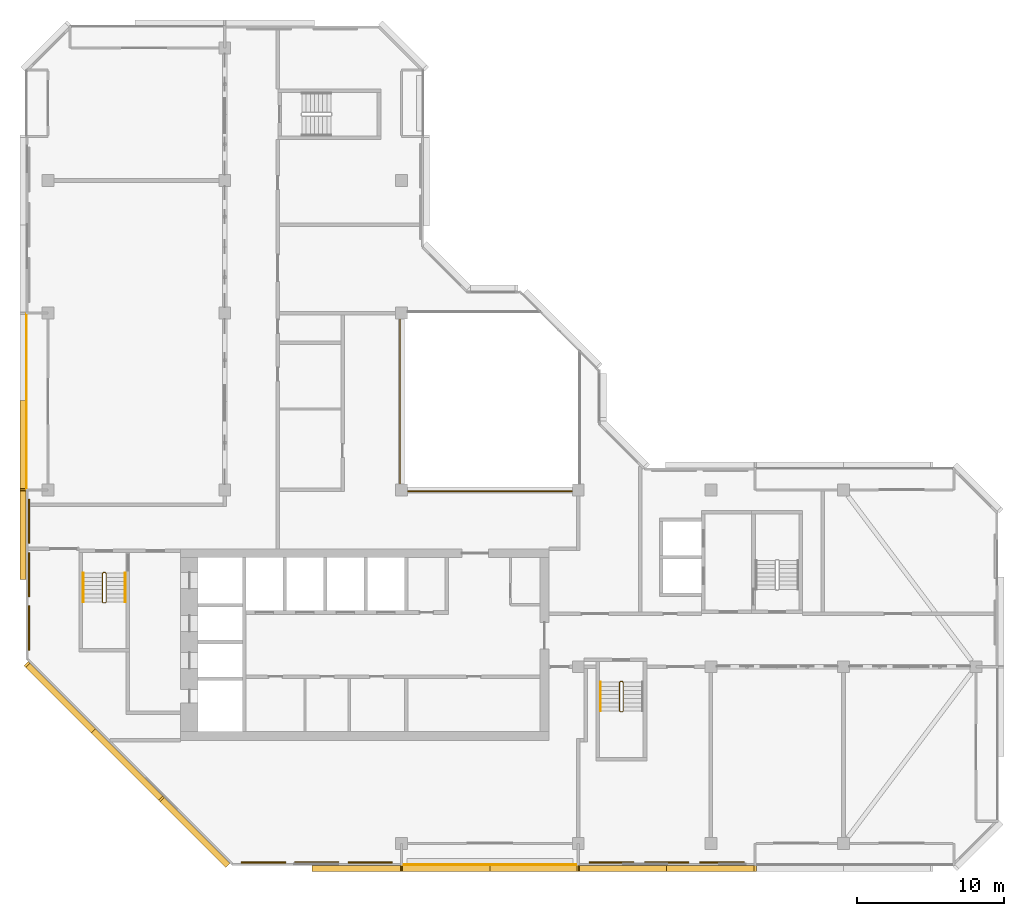
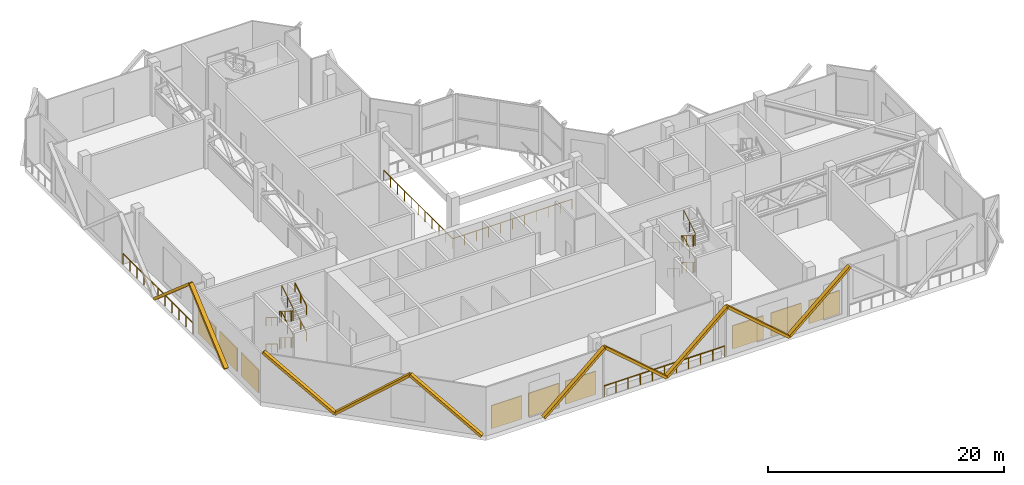
# One storey, part 11 of 13: 11 railings, 10 coverings, 9 shading devices.
"""IFC4 building model written with IfcOpenShell, lengths in metres."""

from ifc_helpers import new_model, si_unit, direction, frame, origin, origin_2d, place, context, subcontext, project, spatial, rectangle, extrude, material, material_profile, profile_set, type_object, element, save


model = new_model("IFC4")

# Units and contexts
model_context = context("Model", 3, precision=1e-05, world=origin(), true_north=direction((0.0, 1.0)))
body_context = subcontext(model_context, "Body", "Model", "MODEL_VIEW")
ifc_project = project(units=[si_unit("LENGTHUNIT", "METRE"), si_unit("AREAUNIT", "SQUARE_METRE"), si_unit("VOLUMEUNIT", "CUBIC_METRE"), si_unit("PLANEANGLEUNIT", "RADIAN"), si_unit("MASSUNIT", "GRAM", prefix="KILO")], contexts=[model_context])

# Site, building, storey
site_placement = place(None, origin())
site = spatial("IfcSite", under=ifc_project, at=site_placement, CompositionType="ELEMENT")
building_placement = place(site_placement, origin())
building = spatial("IfcBuilding", under=site, at=building_placement, Name="Chenar Terraces", CompositionType="ELEMENT")
storey_placement = place(building_placement, frame((0.0, 0.0, 322.14990234375)))
storey = spatial("IfcBuildingStorey", under=building, at=storey_placement, Name="L76", CompositionType="ELEMENT", Elevation=322.14990234375)

# Railings
ifc_material_1 = material(Name="Powder-coated steel", Category="steel")
railing_type_1 = type_object("IfcRailingType", Name="Guard 1100 steel rail with glass infill", PredefinedType="GUARDRAIL", material=ifc_material_1)
railing_1_placement = place(storey_placement, frame((23.89990234375, 35.60009765625, 0.0)))
element("IfcRailing", 1, at=railing_1_placement, inside=storey, type_object=railing_type_1, Name="Guard L76-1", PredefinedType="GUARDRAIL", context=body_context, shape_type="SweptSolid", body=[
    extrude(rectangle(XDim=0.06005859375, YDim=0.06005859375, at=origin_2d()), frame((0.0, 0.0, 1.070068359375), z_axis=(0.0, -1.0, 0.0), x_axis=(1.0, 0.0, 0.0)), (0.0, 0.0, 1.0), 11.7001953125),
    extrude(rectangle(XDim=0.06005859375, YDim=0.06005859375, at=origin_2d()), frame((0.0, -11.7001953125, 1.070068359375), z_axis=(1.0, 0.0, 0.0), x_axis=(0.0, 1.0, 0.0)), (0.0, 0.0, 1.0), 11.7001953125),
    extrude(rectangle(XDim=0.050048828125, YDim=0.050048828125, at=origin_2d()), origin(), (0.0, 0.0, 1.0), 1.0400390625),
    extrude(rectangle(XDim=0.050048828125, YDim=0.050048828125, at=origin_2d()), frame((0.0, -1.169921875, 0.0)), (0.0, 0.0, 1.0), 1.0400390625),
    extrude(rectangle(XDim=0.050048828125, YDim=0.050048828125, at=origin_2d()), frame((0.0, -2.340087890625, 0.0)), (0.0, 0.0, 1.0), 1.0400390625),
    extrude(rectangle(XDim=0.050048828125, YDim=0.050048828125, at=origin_2d()), frame((0.0, -3.510009765625, 0.0)), (0.0, 0.0, 1.0), 1.0400390625),
    extrude(rectangle(XDim=0.050048828125, YDim=0.050048828125, at=origin_2d()), frame((0.0, -4.68017578125, 0.0)), (0.0, 0.0, 1.0), 1.0400390625),
    extrude(rectangle(XDim=0.050048828125, YDim=0.050048828125, at=origin_2d()), frame((0.0, -5.85009765625, 0.0)), (0.0, 0.0, 1.0), 1.0400390625),
    extrude(rectangle(XDim=0.050048828125, YDim=0.050048828125, at=origin_2d()), frame((0.0, -7.02001953125, 0.0)), (0.0, 0.0, 1.0), 1.0400390625),
    extrude(rectangle(XDim=0.050048828125, YDim=0.050048828125, at=origin_2d()), frame((0.0, -8.190185546875, 0.0)), (0.0, 0.0, 1.0), 1.0400390625),
    extrude(rectangle(XDim=0.050048828125, YDim=0.050048828125, at=origin_2d()), frame((0.0, -9.360107421875, 0.0)), (0.0, 0.0, 1.0), 1.0400390625),
    extrude(rectangle(XDim=0.050048828125, YDim=0.050048828125, at=origin_2d()), frame((0.0, -10.5302734375, 0.0)), (0.0, 0.0, 1.0), 1.0400390625),
    extrude(rectangle(XDim=0.050048828125, YDim=0.050048828125, at=origin_2d()), frame((0.0, -11.7001953125, 0.0)), (0.0, 0.0, 1.0), 1.0400390625),
    extrude(rectangle(XDim=0.050048828125, YDim=0.050048828125, at=origin_2d()), frame((1.169921875, -11.7001953125, 0.0)), (0.0, 0.0, 1.0), 1.0400390625),
    extrude(rectangle(XDim=0.050048828125, YDim=0.050048828125, at=origin_2d()), frame((2.340087890625, -11.7001953125, 0.0)), (0.0, 0.0, 1.0), 1.0400390625),
    extrude(rectangle(XDim=0.050048828125, YDim=0.050048828125, at=origin_2d()), frame((3.510009765625, -11.7001953125, 0.0)), (0.0, 0.0, 1.0), 1.0400390625),
    extrude(rectangle(XDim=0.050048828125, YDim=0.050048828125, at=origin_2d()), frame((4.68017578125, -11.7001953125, 0.0)), (0.0, 0.0, 1.0), 1.0400390625),
    extrude(rectangle(XDim=0.050048828125, YDim=0.050048828125, at=origin_2d()), frame((5.85009765625, -11.7001953125, 0.0)), (0.0, 0.0, 1.0), 1.0400390625),
    extrude(rectangle(XDim=0.050048828125, YDim=0.050048828125, at=origin_2d()), frame((7.02001953125, -11.7001953125, 0.0)), (0.0, 0.0, 1.0), 1.0400390625),
    extrude(rectangle(XDim=0.050048828125, YDim=0.050048828125, at=origin_2d()), frame((8.190185546875, -11.7001953125, 0.0)), (0.0, 0.0, 1.0), 1.0400390625),
    extrude(rectangle(XDim=0.050048828125, YDim=0.050048828125, at=origin_2d()), frame((9.360107421875, -11.7001953125, 0.0)), (0.0, 0.0, 1.0), 1.0400390625),
    extrude(rectangle(XDim=0.050048828125, YDim=0.050048828125, at=origin_2d()), frame((10.5302734375, -11.7001953125, 0.0)), (0.0, 0.0, 1.0), 1.0400390625),
    extrude(rectangle(XDim=0.050048828125, YDim=0.050048828125, at=origin_2d()), frame((11.7001953125, -11.7001953125, 0.0)), (0.0, 0.0, 1.0), 1.0400390625),
])
ifc_material_2 = material(Name="Stainless steel and glass", Category="steel")
railing_type_2 = type_object("IfcRailingType", Name="Loggia guard 1150", PredefinedType="GUARDRAIL", material=ifc_material_2)
railing_2_placement = place(storey_placement, frame((24.074951171875, -1.449951171875, 0.0)))
element("IfcRailing", 2, at=railing_2_placement, inside=storey, type_object=railing_type_2, Name="Loggia guard", PredefinedType="GUARDRAIL", context=body_context, shape_type="SweptSolid", body=[
    extrude(rectangle(XDim=0.048095703125, YDim=0.048095703125, at=origin_2d()), frame((0.0, 0.0, 1.1259765625), z_axis=(1.0, 0.0, 0.0), x_axis=(0.0, 1.0, 0.0)), (0.0, 0.0, 1.0), 11.85009765625),
    extrude(rectangle(XDim=0.0419921875, YDim=0.0419921875, at=origin_2d()), origin(), (0.0, 0.0, 1.0), 1.101806640625),
    extrude(rectangle(XDim=0.0419921875, YDim=0.0419921875, at=origin_2d()), frame((1.18505859375, 0.0, 0.0)), (0.0, 0.0, 1.0), 1.101806640625),
    extrude(rectangle(XDim=0.0419921875, YDim=0.0419921875, at=origin_2d()), frame((2.3701171875, 0.0, 0.0)), (0.0, 0.0, 1.0), 1.101806640625),
    extrude(rectangle(XDim=0.0419921875, YDim=0.0419921875, at=origin_2d()), frame((3.554931640625, 0.0, 0.0)), (0.0, 0.0, 1.0), 1.101806640625),
    extrude(rectangle(XDim=0.0419921875, YDim=0.0419921875, at=origin_2d()), frame((4.739990234375, 0.0, 0.0)), (0.0, 0.0, 1.0), 1.101806640625),
    extrude(rectangle(XDim=0.0419921875, YDim=0.0419921875, at=origin_2d()), frame((5.925048828125, 0.0, 0.0)), (0.0, 0.0, 1.0), 1.101806640625),
    extrude(rectangle(XDim=0.0419921875, YDim=0.0419921875, at=origin_2d()), frame((7.110107421875, 0.0, 0.0)), (0.0, 0.0, 1.0), 1.101806640625),
    extrude(rectangle(XDim=0.0419921875, YDim=0.0419921875, at=origin_2d()), frame((8.295166015625, 0.0, 0.0)), (0.0, 0.0, 1.0), 1.101806640625),
    extrude(rectangle(XDim=0.0419921875, YDim=0.0419921875, at=origin_2d()), frame((9.47998046875, 0.0, 0.0)), (0.0, 0.0, 1.0), 1.101806640625),
    extrude(rectangle(XDim=0.0419921875, YDim=0.0419921875, at=origin_2d()), frame((10.6650390625, 0.0, 0.0)), (0.0, 0.0, 1.0), 1.101806640625),
    extrude(rectangle(XDim=0.0419921875, YDim=0.0419921875, at=origin_2d()), frame((11.85009765625, 0.0, 0.0)), (0.0, 0.0, 1.0), 1.101806640625),
])
railing_3_placement = place(storey_placement, frame((-1.449951171875, 35.925048828125, 0.0)))
element("IfcRailing", 3, at=railing_3_placement, inside=storey, type_object=railing_type_2, Name="Loggia guard", PredefinedType="GUARDRAIL", context=body_context, shape_type="SweptSolid", body=[
    extrude(rectangle(XDim=0.048095703125, YDim=0.048095703125, at=origin_2d()), frame((0.0, 0.0, 1.1259765625), z_axis=(0.0, -1.0, 0.0), x_axis=(1.0, 0.0, 0.0)), (0.0, 0.0, 1.0), 11.85009765625),
    extrude(rectangle(XDim=0.0419921875, YDim=0.0419921875, at=origin_2d()), origin(), (0.0, 0.0, 1.0), 1.101806640625),
    extrude(rectangle(XDim=0.0419921875, YDim=0.0419921875, at=origin_2d()), frame((0.0, -1.18505859375, 0.0)), (0.0, 0.0, 1.0), 1.101806640625),
    extrude(rectangle(XDim=0.0419921875, YDim=0.0419921875, at=origin_2d()), frame((0.0, -2.3701171875, 0.0)), (0.0, 0.0, 1.0), 1.101806640625),
    extrude(rectangle(XDim=0.0419921875, YDim=0.0419921875, at=origin_2d()), frame((0.0, -3.554931640625, 0.0)), (0.0, 0.0, 1.0), 1.101806640625),
    extrude(rectangle(XDim=0.0419921875, YDim=0.0419921875, at=origin_2d()), frame((0.0, -4.739990234375, 0.0)), (0.0, 0.0, 1.0), 1.101806640625),
    extrude(rectangle(XDim=0.0419921875, YDim=0.0419921875, at=origin_2d()), frame((0.0, -5.925048828125, 0.0)), (0.0, 0.0, 1.0), 1.101806640625),
    extrude(rectangle(XDim=0.0419921875, YDim=0.0419921875, at=origin_2d()), frame((0.0, -7.110107421875, 0.0)), (0.0, 0.0, 1.0), 1.101806640625),
    extrude(rectangle(XDim=0.0419921875, YDim=0.0419921875, at=origin_2d()), frame((0.0, -8.295166015625, 0.0)), (0.0, 0.0, 1.0), 1.101806640625),
    extrude(rectangle(XDim=0.0419921875, YDim=0.0419921875, at=origin_2d()), frame((0.0, -9.47998046875, 0.0)), (0.0, 0.0, 1.0), 1.101806640625),
    extrude(rectangle(XDim=0.0419921875, YDim=0.0419921875, at=origin_2d()), frame((0.0, -10.6650390625, 0.0)), (0.0, 0.0, 1.0), 1.101806640625),
    extrude(rectangle(XDim=0.0419921875, YDim=0.0419921875, at=origin_2d()), frame((0.0, -11.85009765625, 0.0)), (0.0, 0.0, 1.0), 1.101806640625),
])

# Shading devices
ifc_material_3 = material(Name="Powder-coated steel", Category="steel")
shading_device_type = type_object("IfcShadingDeviceType", Name="Sand-proof louvre bank 3000 x 2400", PredefinedType="USERDEFINED", material=ifc_material_3)
for number, where, z_axis, x_axis, name in (
    (4, (14.625, -1.300048828125, 0.4501953125), (0.0, 0.0, 1.0), (1.0, 0.0, 0.0), "Sand-proof louvre bank"),
    (5, (18.25, -1.300048828125, 0.4501953125), (0.0, 0.0, 1.0), (1.0, 0.0, 0.0), "Sand-proof louvre bank"),
    (6, (21.875, -1.300048828125, 0.4501953125), (0.0, 0.0, 1.0), (1.0, 0.0, 0.0), "Sand-proof louvre bank"),
    (7, (38.25, -1.300048828125, 0.4501953125), (0.0, 0.0, 1.0), (1.0, 0.0, 0.0), "Sand-proof louvre bank"),
    (8, (42.0, -1.300048828125, 0.4501953125), (0.0, 0.0, 1.0), (1.0, 0.0, 0.0), "Sand-proof louvre bank"),
    (9, (45.75, -1.300048828125, 0.4501953125), (0.0, 0.0, 1.0), (1.0, 0.0, 0.0), "Sand-proof louvre bank"),
    (10, (-1.300048828125, 21.875, 0.4501953125), (0.0, 0.0, 1.0), (0.0, -1.0, 0.0), "Sand-proof louvre bank"),
    (11, (-1.300048828125, 18.25, 0.4501953125), (0.0, 0.0, 1.0), (0.0, -1.0, 0.0), "Sand-proof louvre bank"),
    (12, (-1.300048828125, 14.625, 0.4501953125), (0.0, 0.0, 1.0), (0.0, -1.0, 0.0), "Sand-proof louvre bank"),
):
    element("IfcShadingDevice", number, at=place(storey_placement, frame(where, z_axis=z_axis, x_axis=x_axis)), inside=storey, type_object=shading_device_type, Name=name, ObjectType="LOUVRE", PredefinedType="USERDEFINED", context=body_context, shape_type="SweptSolid", body=[
        extrude(rectangle(XDim=3.0, YDim=0.10009765625, at=origin_2d()), origin(), (0.0, 0.0, 1.0), 2.39990234375),
    ])

# Railings
ifc_material_4 = material(Name="Powder-coated steel", Category="steel")
railing_type_3 = type_object("IfcRailingType", Name="Stair guard 1100", PredefinedType="GUARDRAIL", material=ifc_material_4)
railing_4_placement = place(storey_placement, frame((3.949951171875, 18.35009765625, 5.5)))
element("IfcRailing", 13, at=railing_4_placement, inside=storey, type_object=railing_type_3, Name="L76 ST1 stair guard 1", PredefinedType="GUARDRAIL", context=body_context, shape_type="SweptSolid", body=[
    extrude(rectangle(XDim=0.048095703125, YDim=0.048095703125, at=origin_2d()), frame((0.0, 0.0, 1.076171875), z_axis=(0.0, -0.852270028233, -0.523102092307), x_axis=(1.0, 0.0, 0.0)), (0.0, 0.0, 1.0), 2.300048828125),
    extrude(rectangle(XDim=0.048095703125, YDim=0.048095703125, at=origin_2d()), frame((0.0, -1.960205078125, -0.126953125), z_axis=(-0.26935076646, -0.268036860282, -0.924989949209), x_axis=(0.705375805398, -0.708833529934, 0.0)), (0.0, 0.0, 1.0), 0.185791015625),
    extrude(rectangle(XDim=0.048095703125, YDim=0.048095703125, at=origin_2d()), frame((-0.050048828125, -2.010009765625, -0.298828125), z_axis=(-1.0, 0.0, 0.0), x_axis=(0.0, -1.0, 0.0)), (0.0, 0.0, 1.0), 0.14990234375),
    extrude(rectangle(XDim=0.048095703125, YDim=0.048095703125, at=origin_2d()), frame((-0.199951171875, -2.010009765625, -0.298828125), z_axis=(-0.708833529934, 0.705375805398, 0.0), x_axis=(-0.705375805398, -0.708833529934, 0.0)), (0.0, 0.0, 1.0), 0.070556640625),
    extrude(rectangle(XDim=0.048095703125, YDim=0.048095703125, at=origin_2d()), frame((-0.25, -1.960205078125, -0.298828125), z_axis=(0.0, 0.852270028233, -0.523102092307), x_axis=(-1.0, 0.0, 0.0)), (0.0, 0.0, 1.0), 2.300048828125),
    extrude(rectangle(XDim=0.048095703125, YDim=0.048095703125, at=origin_2d()), frame((-0.25, 0.0, -1.501953125), z_axis=(0.745163704225, 0.185608541712, -0.640531438064), x_axis=(-0.241699205484, 0.970351222016, 0.0)), (0.0, 0.0, 1.0), 0.268310546875),
    extrude(rectangle(XDim=0.048095703125, YDim=0.048095703125, at=origin_2d()), frame((-0.050048828125, 0.0498046875, -1.673828125), z_axis=(-1.0, 0.0, 0.0), x_axis=(0.0, -1.0, 0.0)), (0.0, 0.0, 1.0), 0.14990234375),
    extrude(rectangle(XDim=0.048095703125, YDim=0.048095703125, at=origin_2d()), frame((-0.199951171875, 0.0498046875, -1.673828125), z_axis=(0.970351222016, -0.241699205484, 0.0), x_axis=(0.241699205484, 0.970351222016, 0.0)), (0.0, 0.0, 1.0), 0.2060546875),
    extrude(rectangle(XDim=0.048095703125, YDim=0.048095703125, at=origin_2d()), frame((0.0, 0.0, -1.673828125), z_axis=(0.0, -0.852270028233, -0.523102092307), x_axis=(1.0, 0.0, 0.0)), (0.0, 0.0, 1.0), 2.300048828125),
    extrude(rectangle(XDim=0.048095703125, YDim=0.048095703125, at=origin_2d()), frame((0.0, -1.960205078125, -2.876953125), z_axis=(-0.26935076646, -0.268036860282, -0.924989949209), x_axis=(0.705375805398, -0.708833529934, 0.0)), (0.0, 0.0, 1.0), 0.185791015625),
    extrude(rectangle(XDim=0.048095703125, YDim=0.048095703125, at=origin_2d()), frame((-0.050048828125, -2.010009765625, -3.048828125), z_axis=(-1.0, 0.0, 0.0), x_axis=(0.0, -1.0, 0.0)), (0.0, 0.0, 1.0), 0.14990234375),
    extrude(rectangle(XDim=0.048095703125, YDim=0.048095703125, at=origin_2d()), frame((-0.199951171875, -2.010009765625, -3.048828125), z_axis=(-0.708833529934, 0.705375805398, 0.0), x_axis=(-0.705375805398, -0.708833529934, 0.0)), (0.0, 0.0, 1.0), 0.070556640625),
    extrude(rectangle(XDim=0.048095703125, YDim=0.048095703125, at=origin_2d()), frame((-0.25, -1.960205078125, -3.048828125), z_axis=(0.0, 0.852270028233, -0.523102092307), x_axis=(-1.0, 0.0, 0.0)), (0.0, 0.0, 1.0), 2.300048828125),
    extrude(rectangle(XDim=0.048095703125, YDim=0.048095703125, at=origin_2d()), frame((-0.25, 0.0, -4.251953125), z_axis=(0.26935076646, 0.268036860282, -0.924989949209), x_axis=(-0.705375805398, 0.708833529934, 0.0)), (0.0, 0.0, 1.0), 0.185791015625),
    extrude(rectangle(XDim=0.048095703125, YDim=0.048095703125, at=origin_2d()), frame((-0.199951171875, 0.0498046875, -4.423828125), z_axis=(1.0, 0.0, 0.0), x_axis=(0.0, 1.0, 0.0)), (0.0, 0.0, 1.0), 0.14990234375),
    extrude(rectangle(XDim=0.0419921875, YDim=0.0419921875, at=origin_2d()), origin(), (0.0, 0.0, 1.0), 1.052001953125),
    extrude(rectangle(XDim=0.0419921875, YDim=0.0419921875, at=origin_2d()), frame((0.0, -0.97998046875, -0.6015625)), (0.0, 0.0, 1.0), 1.052001953125),
    extrude(rectangle(XDim=0.0419921875, YDim=0.0419921875, at=origin_2d()), frame((0.0, -1.960205078125, -1.203125)), (0.0, 0.0, 1.0), 1.052001953125),
    extrude(rectangle(XDim=0.0419921875, YDim=0.0419921875, at=origin_2d()), frame((-0.050048828125, -2.010009765625, -1.375)), (0.0, 0.0, 1.0), 1.052001953125),
    extrude(rectangle(XDim=0.0419921875, YDim=0.0419921875, at=origin_2d()), frame((-0.199951171875, -2.010009765625, -1.375)), (0.0, 0.0, 1.0), 1.052001953125),
    extrude(rectangle(XDim=0.0419921875, YDim=0.0419921875, at=origin_2d()), frame((-0.25, -1.960205078125, -1.375)), (0.0, 0.0, 1.0), 1.052001953125),
    extrude(rectangle(XDim=0.0419921875, YDim=0.0419921875, at=origin_2d()), frame((-0.25, -0.97998046875, -1.9765625)), (0.0, 0.0, 1.0), 1.052001953125),
    extrude(rectangle(XDim=0.0419921875, YDim=0.0419921875, at=origin_2d()), frame((-0.25, 0.0, -2.578125)), (0.0, 0.0, 1.0), 1.052001953125),
    extrude(rectangle(XDim=0.0419921875, YDim=0.0419921875, at=origin_2d()), frame((-0.050048828125, 0.0498046875, -2.75)), (0.0, 0.0, 1.0), 1.052001953125),
    extrude(rectangle(XDim=0.0419921875, YDim=0.0419921875, at=origin_2d()), frame((-0.199951171875, 0.0498046875, -2.75)), (0.0, 0.0, 1.0), 1.052001953125),
    extrude(rectangle(XDim=0.0419921875, YDim=0.0419921875, at=origin_2d()), frame((0.0, 0.0, -2.75)), (0.0, 0.0, 1.0), 1.052001953125),
    extrude(rectangle(XDim=0.0419921875, YDim=0.0419921875, at=origin_2d()), frame((0.0, -0.97998046875, -3.3515625)), (0.0, 0.0, 1.0), 1.052001953125),
    extrude(rectangle(XDim=0.0419921875, YDim=0.0419921875, at=origin_2d()), frame((0.0, -1.960205078125, -3.953125)), (0.0, 0.0, 1.0), 1.052001953125),
    extrude(rectangle(XDim=0.0419921875, YDim=0.0419921875, at=origin_2d()), frame((-0.050048828125, -2.010009765625, -4.125)), (0.0, 0.0, 1.0), 1.052001953125),
    extrude(rectangle(XDim=0.0419921875, YDim=0.0419921875, at=origin_2d()), frame((-0.199951171875, -2.010009765625, -4.125)), (0.0, 0.0, 1.0), 1.052001953125),
    extrude(rectangle(XDim=0.0419921875, YDim=0.0419921875, at=origin_2d()), frame((-0.25, -1.960205078125, -4.125)), (0.0, 0.0, 1.0), 1.052001953125),
    extrude(rectangle(XDim=0.0419921875, YDim=0.0419921875, at=origin_2d()), frame((-0.25, -0.97998046875, -4.7265625)), (0.0, 0.0, 1.0), 1.052001953125),
    extrude(rectangle(XDim=0.0419921875, YDim=0.0419921875, at=origin_2d()), frame((-0.25, 0.0, -5.328125)), (0.0, 0.0, 1.0), 1.052001953125),
    extrude(rectangle(XDim=0.0419921875, YDim=0.0419921875, at=origin_2d()), frame((-0.199951171875, 0.0498046875, -5.5)), (0.0, 0.0, 1.0), 1.052001953125),
    extrude(rectangle(XDim=0.0419921875, YDim=0.0419921875, at=origin_2d()), frame((-0.050048828125, 0.0498046875, -5.5)), (0.0, 0.0, 1.0), 1.052001953125),
])
railing_5_placement = place(storey_placement, frame((39.050048828125, 10.949951171875, 5.5)))
element("IfcRailing", 14, at=railing_5_placement, inside=storey, type_object=railing_type_3, Name="L76 ST2 stair guard 1", PredefinedType="GUARDRAIL", context=body_context, shape_type="SweptSolid", body=[
    extrude(rectangle(XDim=0.048095703125, YDim=0.048095703125, at=origin_2d()), frame((0.0, 0.0, 1.076171875), z_axis=(0.0, -0.852240978134, -0.523149419562), x_axis=(1.0, 0.0, 0.0)), (0.0, 0.0, 1.0), 2.2998046875),
    extrude(rectangle(XDim=0.048095703125, YDim=0.048095703125, at=origin_2d()), frame((0.0, -1.9599609375, -0.126953125), z_axis=(-0.269255725606, -0.269255725606, -0.92466356501), x_axis=(0.707106781187, -0.707106781187, 0.0)), (0.0, 0.0, 1.0), 0.185791015625),
    extrude(rectangle(XDim=0.048095703125, YDim=0.048095703125, at=origin_2d()), frame((-0.050048828125, -2.010009765625, -0.298828125), z_axis=(-1.0, 0.0, 0.0), x_axis=(0.0, -1.0, 0.0)), (0.0, 0.0, 1.0), 0.14990234375),
    extrude(rectangle(XDim=0.048095703125, YDim=0.048095703125, at=origin_2d()), frame((-0.199951171875, -2.010009765625, -0.298828125), z_axis=(-0.707106781187, 0.707106781187, 0.0), x_axis=(-0.707106781187, -0.707106781187, 0.0)), (0.0, 0.0, 1.0), 0.07080078125),
    extrude(rectangle(XDim=0.048095703125, YDim=0.048095703125, at=origin_2d()), frame((-0.25, -1.9599609375, -0.298828125), z_axis=(0.0, 0.852240978134, -0.523149419562), x_axis=(-1.0, 0.0, 0.0)), (0.0, 0.0, 1.0), 2.2998046875),
    extrude(rectangle(XDim=0.048095703125, YDim=0.048095703125, at=origin_2d()), frame((-0.25, 0.0, -1.501953125), z_axis=(0.745037588186, 0.186486819998, -0.640423030626), x_axis=(-0.242814311512, 0.970072785993, 0.0)), (0.0, 0.0, 1.0), 0.268310546875),
    extrude(rectangle(XDim=0.048095703125, YDim=0.048095703125, at=origin_2d()), frame((-0.050048828125, 0.050048828125, -1.673828125), z_axis=(-1.0, 0.0, 0.0), x_axis=(0.0, -1.0, 0.0)), (0.0, 0.0, 1.0), 0.14990234375),
    extrude(rectangle(XDim=0.048095703125, YDim=0.048095703125, at=origin_2d()), frame((-0.199951171875, 0.050048828125, -1.673828125), z_axis=(0.970072785993, -0.242814311512, 0.0), x_axis=(0.242814311512, 0.970072785993, 0.0)), (0.0, 0.0, 1.0), 0.2060546875),
    extrude(rectangle(XDim=0.048095703125, YDim=0.048095703125, at=origin_2d()), frame((0.0, 0.0, -1.673828125), z_axis=(0.0, -0.852240978134, -0.523149419562), x_axis=(1.0, 0.0, 0.0)), (0.0, 0.0, 1.0), 2.2998046875),
    extrude(rectangle(XDim=0.048095703125, YDim=0.048095703125, at=origin_2d()), frame((0.0, -1.9599609375, -2.876953125), z_axis=(-0.269255725606, -0.269255725606, -0.92466356501), x_axis=(0.707106781187, -0.707106781187, 0.0)), (0.0, 0.0, 1.0), 0.185791015625),
    extrude(rectangle(XDim=0.048095703125, YDim=0.048095703125, at=origin_2d()), frame((-0.050048828125, -2.010009765625, -3.048828125), z_axis=(-1.0, 0.0, 0.0), x_axis=(0.0, -1.0, 0.0)), (0.0, 0.0, 1.0), 0.14990234375),
    extrude(rectangle(XDim=0.048095703125, YDim=0.048095703125, at=origin_2d()), frame((-0.199951171875, -2.010009765625, -3.048828125), z_axis=(-0.707106781187, 0.707106781187, 0.0), x_axis=(-0.707106781187, -0.707106781187, 0.0)), (0.0, 0.0, 1.0), 0.07080078125),
    extrude(rectangle(XDim=0.048095703125, YDim=0.048095703125, at=origin_2d()), frame((-0.25, -1.9599609375, -3.048828125), z_axis=(0.0, 0.852240978134, -0.523149419562), x_axis=(-1.0, 0.0, 0.0)), (0.0, 0.0, 1.0), 2.2998046875),
    extrude(rectangle(XDim=0.048095703125, YDim=0.048095703125, at=origin_2d()), frame((-0.25, 0.0, -4.251953125), z_axis=(0.269255725606, 0.269255725606, -0.92466356501), x_axis=(-0.707106781187, 0.707106781187, 0.0)), (0.0, 0.0, 1.0), 0.185791015625),
    extrude(rectangle(XDim=0.048095703125, YDim=0.048095703125, at=origin_2d()), frame((-0.199951171875, 0.050048828125, -4.423828125), z_axis=(1.0, 0.0, 0.0), x_axis=(0.0, 1.0, 0.0)), (0.0, 0.0, 1.0), 0.14990234375),
    extrude(rectangle(XDim=0.0419921875, YDim=0.0419921875, at=origin_2d()), origin(), (0.0, 0.0, 1.0), 1.052001953125),
    extrude(rectangle(XDim=0.0419921875, YDim=0.0419921875, at=origin_2d()), frame((0.0, -0.97998046875, -0.6015625)), (0.0, 0.0, 1.0), 1.052001953125),
    extrude(rectangle(XDim=0.0419921875, YDim=0.0419921875, at=origin_2d()), frame((0.0, -1.9599609375, -1.203125)), (0.0, 0.0, 1.0), 1.052001953125),
    extrude(rectangle(XDim=0.0419921875, YDim=0.0419921875, at=origin_2d()), frame((-0.050048828125, -2.010009765625, -1.375)), (0.0, 0.0, 1.0), 1.052001953125),
    extrude(rectangle(XDim=0.0419921875, YDim=0.0419921875, at=origin_2d()), frame((-0.199951171875, -2.010009765625, -1.375)), (0.0, 0.0, 1.0), 1.052001953125),
    extrude(rectangle(XDim=0.0419921875, YDim=0.0419921875, at=origin_2d()), frame((-0.25, -1.9599609375, -1.375)), (0.0, 0.0, 1.0), 1.052001953125),
    extrude(rectangle(XDim=0.0419921875, YDim=0.0419921875, at=origin_2d()), frame((-0.25, -0.97998046875, -1.9765625)), (0.0, 0.0, 1.0), 1.052001953125),
    extrude(rectangle(XDim=0.0419921875, YDim=0.0419921875, at=origin_2d()), frame((-0.25, 0.0, -2.578125)), (0.0, 0.0, 1.0), 1.052001953125),
    extrude(rectangle(XDim=0.0419921875, YDim=0.0419921875, at=origin_2d()), frame((-0.050048828125, 0.050048828125, -2.75)), (0.0, 0.0, 1.0), 1.052001953125),
    extrude(rectangle(XDim=0.0419921875, YDim=0.0419921875, at=origin_2d()), frame((-0.199951171875, 0.050048828125, -2.75)), (0.0, 0.0, 1.0), 1.052001953125),
    extrude(rectangle(XDim=0.0419921875, YDim=0.0419921875, at=origin_2d()), frame((0.0, 0.0, -2.75)), (0.0, 0.0, 1.0), 1.052001953125),
    extrude(rectangle(XDim=0.0419921875, YDim=0.0419921875, at=origin_2d()), frame((0.0, -0.97998046875, -3.3515625)), (0.0, 0.0, 1.0), 1.052001953125),
    extrude(rectangle(XDim=0.0419921875, YDim=0.0419921875, at=origin_2d()), frame((0.0, -1.9599609375, -3.953125)), (0.0, 0.0, 1.0), 1.052001953125),
    extrude(rectangle(XDim=0.0419921875, YDim=0.0419921875, at=origin_2d()), frame((-0.050048828125, -2.010009765625, -4.125)), (0.0, 0.0, 1.0), 1.052001953125),
    extrude(rectangle(XDim=0.0419921875, YDim=0.0419921875, at=origin_2d()), frame((-0.199951171875, -2.010009765625, -4.125)), (0.0, 0.0, 1.0), 1.052001953125),
    extrude(rectangle(XDim=0.0419921875, YDim=0.0419921875, at=origin_2d()), frame((-0.25, -1.9599609375, -4.125)), (0.0, 0.0, 1.0), 1.052001953125),
    extrude(rectangle(XDim=0.0419921875, YDim=0.0419921875, at=origin_2d()), frame((-0.25, -0.97998046875, -4.7265625)), (0.0, 0.0, 1.0), 1.052001953125),
    extrude(rectangle(XDim=0.0419921875, YDim=0.0419921875, at=origin_2d()), frame((-0.25, 0.0, -5.328125)), (0.0, 0.0, 1.0), 1.052001953125),
    extrude(rectangle(XDim=0.0419921875, YDim=0.0419921875, at=origin_2d()), frame((-0.199951171875, 0.050048828125, -5.5)), (0.0, 0.0, 1.0), 1.052001953125),
    extrude(rectangle(XDim=0.0419921875, YDim=0.0419921875, at=origin_2d()), frame((-0.050048828125, 0.050048828125, -5.5)), (0.0, 0.0, 1.0), 1.052001953125),
])
ifc_material_5 = material(Name="Powder-coated steel", Category="steel")
railing_type_4 = type_object("IfcRailingType", Name="Stair handrail 900", PredefinedType="HANDRAIL", material=ifc_material_5)
railing_6_placement = place(storey_placement, frame((2.39990234375, 18.35009765625, 0.171875)))
element("IfcRailing", 15, at=railing_6_placement, inside=storey, type_object=railing_type_4, Name="L76 ST1 stair handrail 1", PredefinedType="HANDRAIL", context=body_context, shape_type="SweptSolid", body=[
    extrude(rectangle(XDim=0.048095703125, YDim=0.048095703125, at=origin_2d()), frame((0.0, 0.0, 0.8759765625), z_axis=(0.0, -0.852270028233, 0.523102092307), x_axis=(1.0, 0.0, 0.0)), (0.0, 0.0, 1.0), 2.300048828125),
    extrude(rectangle(XDim=0.0419921875, YDim=0.0419921875, at=origin_2d()), origin(), (0.0, 0.0, 1.0), 0.851806640625),
    extrude(rectangle(XDim=0.0419921875, YDim=0.0419921875, at=origin_2d()), frame((0.0, -0.97998046875, 0.6015625)), (0.0, 0.0, 1.0), 0.851806640625),
    extrude(rectangle(XDim=0.0419921875, YDim=0.0419921875, at=origin_2d()), frame((0.0, -1.960205078125, 1.203125)), (0.0, 0.0, 1.0), 0.851806640625),
])
railing_7_placement = place(storey_placement, frame((5.25, 16.389892578125, 1.546875)))
element("IfcRailing", 16, at=railing_7_placement, inside=storey, type_object=railing_type_4, Name="L76 ST1 stair handrail 2", PredefinedType="HANDRAIL", context=body_context, shape_type="SweptSolid", body=[
    extrude(rectangle(XDim=0.048095703125, YDim=0.048095703125, at=origin_2d()), frame((0.0, 0.0, 0.8759765625), z_axis=(0.0, 0.852270028233, 0.523102092307), x_axis=(-1.0, 0.0, 0.0)), (0.0, 0.0, 1.0), 2.300048828125),
    extrude(rectangle(XDim=0.0419921875, YDim=0.0419921875, at=origin_2d()), origin(), (0.0, 0.0, 1.0), 0.851806640625),
    extrude(rectangle(XDim=0.0419921875, YDim=0.0419921875, at=origin_2d()), frame((0.0, 0.97998046875, 0.6015625)), (0.0, 0.0, 1.0), 0.851806640625),
    extrude(rectangle(XDim=0.0419921875, YDim=0.0419921875, at=origin_2d()), frame((0.0, 1.960205078125, 1.203125)), (0.0, 0.0, 1.0), 0.851806640625),
])
railing_8_placement = place(storey_placement, frame((2.39990234375, 18.35009765625, 2.921875)))
element("IfcRailing", 17, at=railing_8_placement, inside=storey, type_object=railing_type_4, Name="L76 ST1 stair handrail 3", PredefinedType="HANDRAIL", context=body_context, shape_type="SweptSolid", body=[
    extrude(rectangle(XDim=0.048095703125, YDim=0.048095703125, at=origin_2d()), frame((0.0, 0.0, 0.8759765625), z_axis=(0.0, -0.852270028233, 0.523102092307), x_axis=(1.0, 0.0, 0.0)), (0.0, 0.0, 1.0), 2.300048828125),
    extrude(rectangle(XDim=0.0419921875, YDim=0.0419921875, at=origin_2d()), origin(), (0.0, 0.0, 1.0), 0.851806640625),
    extrude(rectangle(XDim=0.0419921875, YDim=0.0419921875, at=origin_2d()), frame((0.0, -0.97998046875, 0.6015625)), (0.0, 0.0, 1.0), 0.851806640625),
    extrude(rectangle(XDim=0.0419921875, YDim=0.0419921875, at=origin_2d()), frame((0.0, -1.960205078125, 1.203125)), (0.0, 0.0, 1.0), 0.851806640625),
])
railing_9_placement = place(storey_placement, frame((5.25, 16.389892578125, 4.296875)))
element("IfcRailing", 18, at=railing_9_placement, inside=storey, type_object=railing_type_4, Name="L76 ST1 stair handrail 4", PredefinedType="HANDRAIL", context=body_context, shape_type="SweptSolid", body=[
    extrude(rectangle(XDim=0.048095703125, YDim=0.048095703125, at=origin_2d()), frame((0.0, 0.0, 0.8759765625), z_axis=(0.0, 0.852270028233, 0.523102092307), x_axis=(-1.0, 0.0, 0.0)), (0.0, 0.0, 1.0), 2.300048828125),
    extrude(rectangle(XDim=0.0419921875, YDim=0.0419921875, at=origin_2d()), origin(), (0.0, 0.0, 1.0), 0.851806640625),
    extrude(rectangle(XDim=0.0419921875, YDim=0.0419921875, at=origin_2d()), frame((0.0, 0.97998046875, 0.6015625)), (0.0, 0.0, 1.0), 0.851806640625),
    extrude(rectangle(XDim=0.0419921875, YDim=0.0419921875, at=origin_2d()), frame((0.0, 1.960205078125, 1.203125)), (0.0, 0.0, 1.0), 0.851806640625),
])
for number, where, name in (
    (19, (37.5, 10.949951171875, 0.171875), "L76 ST2 stair handrail 1"),
    (20, (37.5, 10.949951171875, 2.921875), "L76 ST2 stair handrail 3"),
):
    element("IfcRailing", number, at=place(storey_placement, frame(where)), inside=storey, type_object=railing_type_4, Name=name, PredefinedType="HANDRAIL", context=body_context, shape_type="SweptSolid", body=[
        extrude(rectangle(XDim=0.048095703125, YDim=0.048095703125, at=origin_2d()), frame((0.0, 0.0, 0.8759765625), z_axis=(0.0, -0.852240978134, 0.523149419562), x_axis=(1.0, 0.0, 0.0)), (0.0, 0.0, 1.0), 2.2998046875),
        extrude(rectangle(XDim=0.0419921875, YDim=0.0419921875, at=origin_2d()), origin(), (0.0, 0.0, 1.0), 0.851806640625),
        extrude(rectangle(XDim=0.0419921875, YDim=0.0419921875, at=origin_2d()), frame((0.0, -0.97998046875, 0.6015625)), (0.0, 0.0, 1.0), 0.851806640625),
        extrude(rectangle(XDim=0.0419921875, YDim=0.0419921875, at=origin_2d()), frame((0.0, -1.9599609375, 1.203125)), (0.0, 0.0, 1.0), 0.851806640625),
    ])

# Coverings
ifc_material_6 = material(Name="Terracotta", Category="masonry")
ifc_material_profile = material_profile(ifc_material_6, rectangle(XDim=0.39990234375, YDim=0.25, at=origin_2d()), Name="Terracotta baguette 400 x 250")
ifc_profile_set = profile_set([ifc_material_profile], Name="Terracotta")
covering_type = type_object("IfcCoveringType", Name="Terracotta baguette 400 x 250", PredefinedType="CLADDING", material=ifc_profile_set)
for number, where, z_axis, x_axis, name in (
    (21, (-1.699951171875, 30.0, 0.150146484375), (0.0, -0.755692126483, 0.654927026447), (1.0, 0.0, 0.0), "Terracotta baguette"),
    (22, (-1.699951171875, 24.0, 5.35009765625), (0.0, -0.755692126483, -0.654927026447), (1.0, 0.0, 0.0), "Terracotta baguette"),
):
    element("IfcCovering", number, at=place(storey_placement, frame(where, z_axis=z_axis, x_axis=x_axis)), inside=storey, type_object=covering_type, Name=name, PredefinedType="CLADDING", context=body_context, shape_type="SweptSolid", body=[
        extrude(rectangle(XDim=0.39990234375, YDim=0.25, at=origin_2d()), origin(), (0.0, 0.0, 1.0), 7.939697265625),
    ])
covering_1_placement = place(storey_placement, frame((-1.42919921875, 12.146484375, 5.35009765625), z_axis=(0.545309033851, -0.545338921986, -0.636587399944), x_axis=(0.707126158488, 0.707087403354, 0.0)))
element("IfcCovering", 23, at=covering_1_placement, inside=storey, type_object=covering_type, Name="Terracotta baguette", PredefinedType="CLADDING", context=body_context, shape_type="SweptSolid", body=[
    extrude(rectangle(XDim=0.39990234375, YDim=0.25, at=origin_2d()), origin(), (0.0, 0.0, 1.0), 8.16845703125),
])
covering_2_placement = place(storey_placement, frame((3.025146484375, 7.69189453125, 0.150146484375), z_axis=(0.555421342163, -0.555421342163, 0.618881463077), x_axis=(0.707106781187, 0.707106781187, 0.0)))
element("IfcCovering", 24, at=covering_2_placement, inside=storey, type_object=covering_type, Name="Terracotta baguette", PredefinedType="CLADDING", context=body_context, shape_type="SweptSolid", body=[
    extrude(rectangle(XDim=0.39990234375, YDim=0.25, at=origin_2d()), origin(), (0.0, 0.0, 1.0), 8.402099609375),
])
covering_3_placement = place(storey_placement, frame((7.69189453125, 3.025146484375, 5.35009765625), z_axis=(0.545338921986, -0.545309033851, -0.636587399944), x_axis=(0.707087403354, 0.707126158488, 0.0)))
element("IfcCovering", 25, at=covering_3_placement, inside=storey, type_object=covering_type, Name="Terracotta baguette", PredefinedType="CLADDING", context=body_context, shape_type="SweptSolid", body=[
    extrude(rectangle(XDim=0.39990234375, YDim=0.25, at=origin_2d()), origin(), (0.0, 0.0, 1.0), 8.16845703125),
])
for number, where, z_axis, x_axis, name in (
    (26, (18.0, -1.699951171875, 0.150146484375), (0.755692126483, 0.0, 0.654927026447), (0.0, 1.0, 0.0), "Terracotta baguette"),
    (27, (24.0, -1.699951171875, 5.35009765625), (0.755692126483, 0.0, -0.654927026447), (0.0, 1.0, 0.0), "Terracotta baguette"),
    (28, (30.0, -1.699951171875, 0.150146484375), (0.755692126483, 0.0, 0.654927026447), (0.0, 1.0, 0.0), "Terracotta baguette"),
    (29, (36.0, -1.699951171875, 5.35009765625), (0.755692126483, 0.0, -0.654927026447), (0.0, 1.0, 0.0), "Terracotta baguette"),
    (30, (42.0, -1.699951171875, 0.150146484375), (0.755692126483, 0.0, 0.654927026447), (0.0, 1.0, 0.0), "Terracotta baguette"),
):
    element("IfcCovering", number, at=place(storey_placement, frame(where, z_axis=z_axis, x_axis=x_axis)), inside=storey, type_object=covering_type, Name=name, PredefinedType="CLADDING", context=body_context, shape_type="SweptSolid", body=[
        extrude(rectangle(XDim=0.39990234375, YDim=0.25, at=origin_2d()), origin(), (0.0, 0.0, 1.0), 7.939697265625),
    ])

save(model, "model.ifc")
